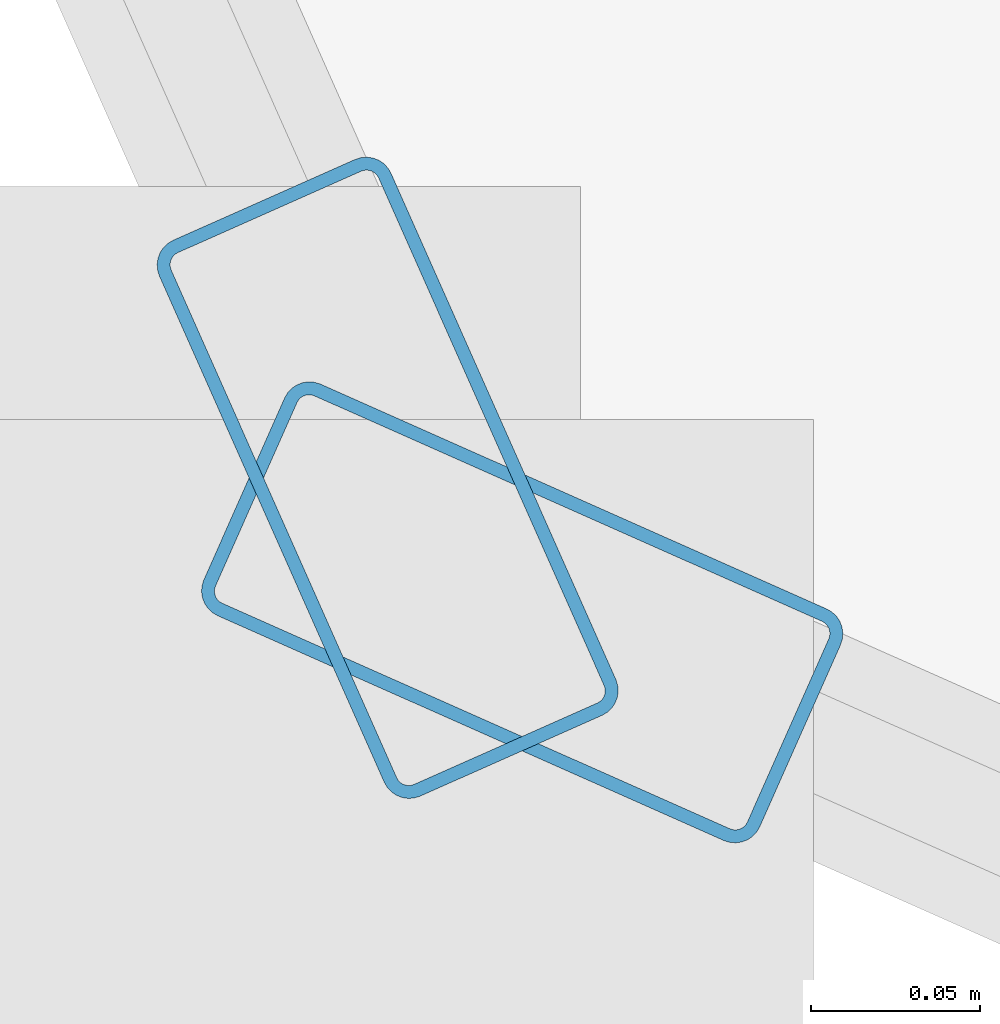
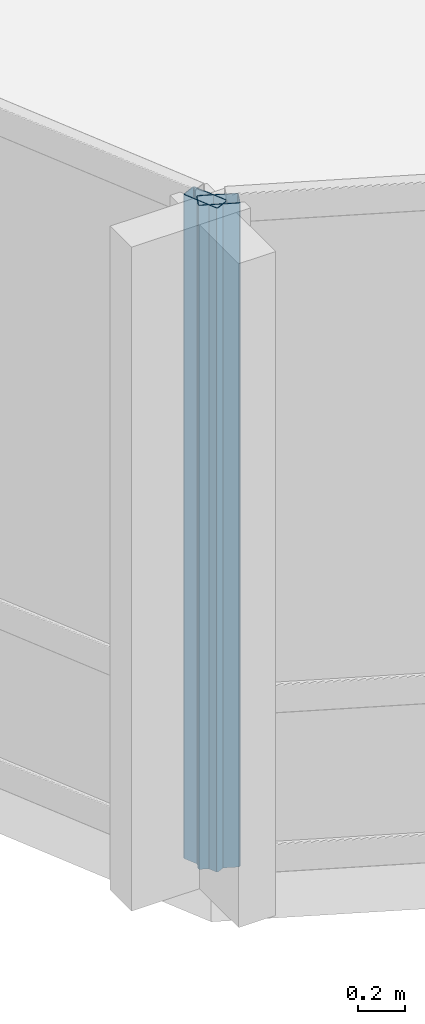
# One storey, part 2 of 34: 2 members, 2 elements without a shape of their own.
"""IFC4 building model written with IfcOpenShell, lengths in metres."""

from ifc_helpers import new_model, si_unit, direction, frame, origin, origin_2d, place, context, subcontext, project, spatial, hollow_rectangle, extrude, material, layer, layer_set, material_profile, profile_set, type_object, element, aggregate, save


model = new_model("IFC4")

# Units and contexts
model_context = context("Model", 3, precision=1e-05, world=origin(), true_north=direction((0.0, 1.0)))
body_context = subcontext(model_context, "Body", "Model", "MODEL_VIEW")
ifc_project = project(units=[si_unit("LENGTHUNIT", "METRE"), si_unit("AREAUNIT", "SQUARE_METRE"), si_unit("VOLUMEUNIT", "CUBIC_METRE"), si_unit("PLANEANGLEUNIT", "RADIAN"), si_unit("MASSUNIT", "GRAM", prefix="KILO")], contexts=[model_context])

# Site, building, storey
site_placement = place(None, origin())
site = spatial("IfcSite", under=ifc_project, at=site_placement, CompositionType="ELEMENT")
building_placement = place(site_placement, origin())
building = spatial("IfcBuilding", under=site, at=building_placement, Name="Solvaryn Broadcast Tower", CompositionType="ELEMENT")
storey_placement = place(building_placement, frame((0.0, 0.0, 50.800048828125)))
storey = spatial("IfcBuildingStorey", under=building, at=storey_placement, Name="L11", CompositionType="ELEMENT", Elevation=50.800048828125)

# Curtain wall, member
ifc_material_1 = material(Name="Aluminium and Terracotta Unitised Curtain Wall", Category="masonry")
ifc_layer = layer(ifc_material_1, 0.199951171875)
ifc_layer_set = layer_set([ifc_layer], Name="CW-SYS2-LOWMID")
curtain_wall_type = type_object("IfcCurtainWallType", Name="CW-SYS2-LOWMID", PredefinedType="NOTDEFINED", material=ifc_layer_set)
curtain_wall_1_placement = place(storey_placement, origin())
curtain_wall_1 = element("IfcCurtainWall", 1, at=curtain_wall_1_placement, inside=storey, type_object=curtain_wall_type, Name="L11 Curtain Wall DR2", PredefinedType="NOTDEFINED")
ifc_material_2 = material(Name="Anodised Aluminium 6063-T6", Category="aluminium")
ifc_material_profile = material_profile(ifc_material_2, hollow_rectangle(XDim=0.074951171875, YDim=0.179931640625, WallThickness=0.00390625, InnerFilletRadius=0.00390625, OuterFilletRadius=0.008056640625, at=origin_2d()))
ifc_profile_set = profile_set([ifc_material_profile], Name="Anodised Aluminium 6063-T6")
member_type = type_object("IfcMemberType", Name="CW-MUL-180", PredefinedType="MULLION", material=ifc_profile_set)
member_1_placement = place(storey_placement, frame((7.834716796875, 7.87451171875, 0.0), z_axis=(0.0, 0.0, 1.0), x_axis=(0.913918257271, 0.405898286554, 0.0)))
member_1 = element("IfcMember", 2, at=member_1_placement, type_object=member_type, Name="CWS2 mullion 2", PredefinedType="MULLION", context=body_context, shape_type="SweptSolid", body=[
    extrude(hollow_rectangle(XDim=0.074951171875, YDim=0.179931640625, WallThickness=0.00390625, InnerFilletRadius=0.00390625, OuterFilletRadius=0.008056640625, at=origin_2d()), origin(), (0.0, 0.0, 1.0), 3.419921875),
])
aggregate(curtain_wall_1, [member_1])

curtain_wall_2_placement = place(storey_placement, origin())
curtain_wall_2 = element("IfcCurtainWall", 3, at=curtain_wall_2_placement, inside=storey, type_object=curtain_wall_type, Name="L11 Curtain Wall DR3", PredefinedType="NOTDEFINED")
member_2_placement = place(storey_placement, frame((7.87451171875, 7.834716796875, 0.0), z_axis=(0.0, 0.0, 1.0), x_axis=(0.405898286554, 0.913918257271, 0.0)))
member_2 = element("IfcMember", 4, at=member_2_placement, type_object=member_type, Name="CWS2 mullion 1", PredefinedType="MULLION", context=body_context, shape_type="SweptSolid", body=[
    extrude(hollow_rectangle(XDim=0.074951171875, YDim=0.179931640625, WallThickness=0.00390625, InnerFilletRadius=0.00390625, OuterFilletRadius=0.008056640625, at=origin_2d()), origin(), (0.0, 0.0, 1.0), 3.419921875),
])
aggregate(curtain_wall_2, [member_2])

save(model, "model.ifc")
